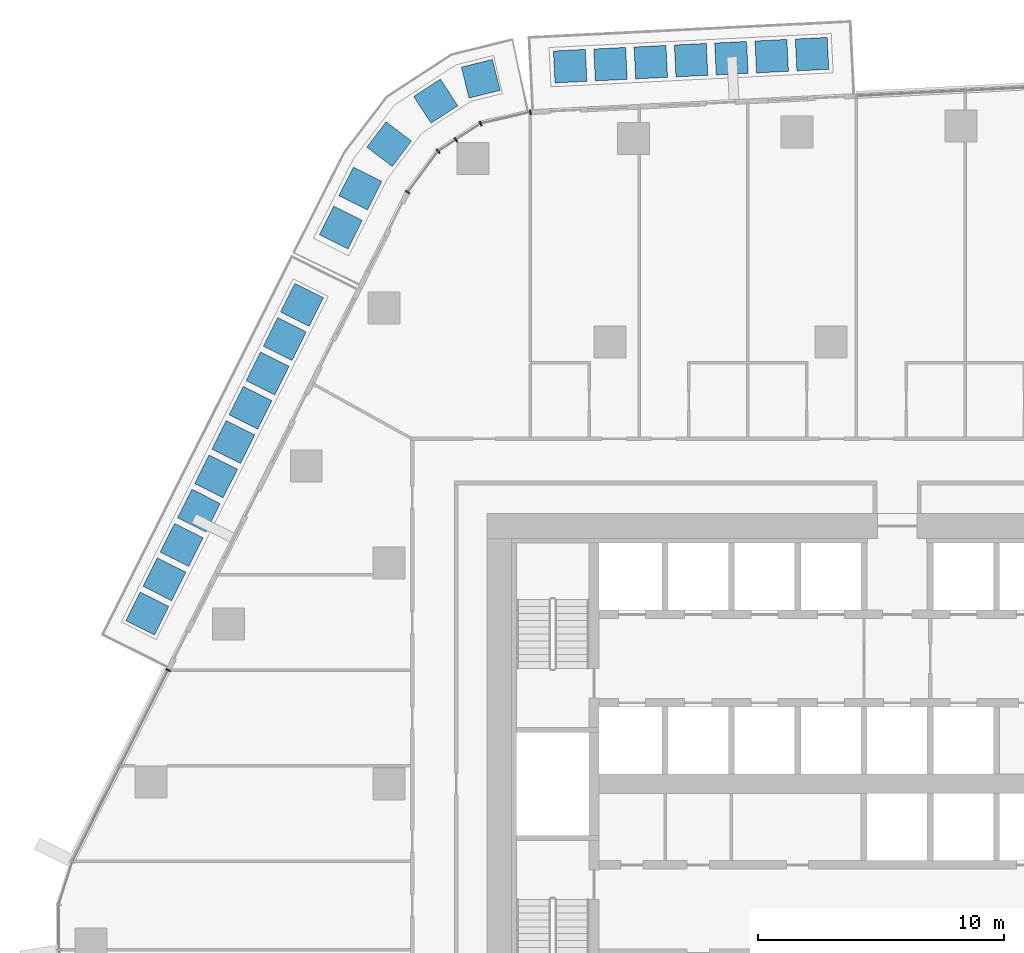
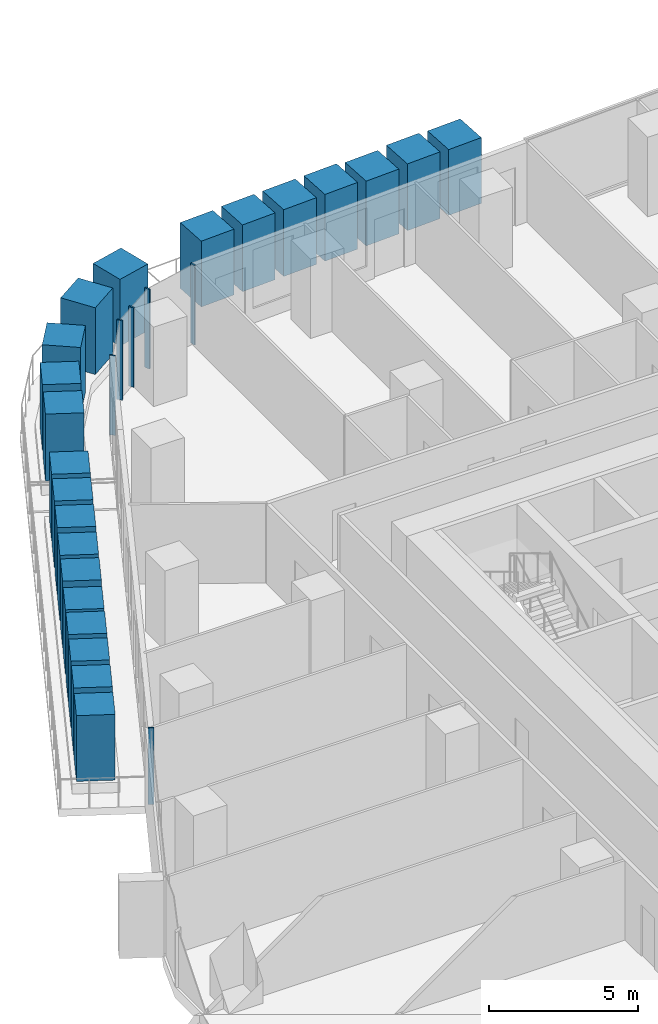
# One storey, part 6 of 24: 28 members, 3 elements without a shape of their own.
"""IFC4 building model written with IfcOpenShell, lengths in metres."""

from ifc_helpers import new_model, si_unit, direction, frame, origin, origin_2d, place, context, subcontext, project, spatial, rectangle, extrude, material, layer, layer_set, material_profile, profile_set, type_object, element, aggregate, save


model = new_model("IFC4")

# Units and contexts
model_context = context("Model", 3, precision=1e-05, world=origin(), true_north=direction((0.0, 1.0)))
body_context = subcontext(model_context, "Body", "Model", "MODEL_VIEW")
ifc_project = project(units=[si_unit("LENGTHUNIT", "METRE"), si_unit("AREAUNIT", "SQUARE_METRE"), si_unit("VOLUMEUNIT", "CUBIC_METRE"), si_unit("PLANEANGLEUNIT", "RADIAN"), si_unit("MASSUNIT", "GRAM", prefix="KILO")], contexts=[model_context])

# Site, building, storey
site_placement = place(None, origin())
site = spatial("IfcSite", under=ifc_project, at=site_placement, CompositionType="ELEMENT")
building_placement = place(site_placement, origin())
building = spatial("IfcBuilding", under=site, at=building_placement, Name="Dongbaek Canopy Tower", CompositionType="ELEMENT")
storey_placement = place(building_placement, frame((0.0, 0.0, 98.89990234375)))
storey = spatial("IfcBuildingStorey", under=building, at=storey_placement, Name="L20", CompositionType="ELEMENT", Elevation=98.89990234375)

# Curtain wall, members
ifc_material_1 = material(Name="Aluminium 6063-T6 pale anodised", Category="aluminium")
ifc_layer = layer(ifc_material_1, 0.199951171875)
ifc_layer_set = layer_set([ifc_layer], Name="CW-1 unitised tower curtain wall")
curtain_wall_type = type_object("IfcCurtainWallType", Name="CW-1 unitised tower curtain wall", PredefinedType="NOTDEFINED", material=ifc_layer_set)
curtain_wall_1_placement = place(storey_placement, origin())
curtain_wall_1 = element("IfcCurtainWall", 1, at=curtain_wall_1_placement, inside=storey, type_object=curtain_wall_type, Name="CW-1 curtain wall K2.1a", PredefinedType="NOTDEFINED")
ifc_material_2 = material(Name="Aluminium 6063-T6 pale anodised", Category="aluminium")
ifc_material_profile_1 = material_profile(ifc_material_2, rectangle(XDim=0.199951171875, YDim=0.06005859375, at=origin_2d()), Name="CW-1 mullion 60 x 200")
ifc_profile_set_1 = profile_set([ifc_material_profile_1], Name="Aluminium 6063-T6 pale anodised")
member_type_1 = type_object("IfcMemberType", Name="CW-1 mullion 60 x 200", PredefinedType="MULLION", material=ifc_profile_set_1)
member_1_placement = place(storey_placement, frame((-12.238037109375, 27.353759765625, 0.0), z_axis=(0.0, 0.0, 1.0), x_axis=(-0.223774189134, 0.974641017133, 0.0)))
member_1 = element("IfcMember", 2, at=member_1_placement, type_object=member_type_1, Name="CW-1 mullion K2.1a.1", PredefinedType="MULLION", context=body_context, shape_type="SweptSolid", body=[
    extrude(rectangle(XDim=0.199951171875, YDim=0.06005859375, at=origin_2d()), origin(), (0.0, 0.0, 1.0), 3.25),
])
member_2_placement = place(storey_placement, frame((-14.261474609375, 26.889404296875, 0.0), z_axis=(0.0, 0.0, 1.0), x_axis=(-0.39108657769, 0.920353893212, 0.0)))
member_2 = element("IfcMember", 3, at=member_2_placement, type_object=member_type_1, Name="CW-1 mullion K2.1a.2", PredefinedType="MULLION", context=body_context, shape_type="SweptSolid", body=[
    extrude(rectangle(XDim=0.199951171875, YDim=0.06005859375, at=origin_2d()), origin(), (0.0, 0.0, 1.0), 3.25),
])
member_3_placement = place(storey_placement, frame((-15.27099609375, 26.23095703125, 0.0), z_axis=(0.0, 0.0, 1.0), x_axis=(-0.546298541371, 0.837590534626, 0.0)))
member_3 = element("IfcMember", 4, at=member_3_placement, type_object=member_type_1, Name="CW-1 mullion K2.1a.3", PredefinedType="MULLION", context=body_context, shape_type="SweptSolid", body=[
    extrude(rectangle(XDim=0.199951171875, YDim=0.06005859375, at=origin_2d()), origin(), (0.0, 0.0, 1.0), 3.25),
])
aggregate(curtain_wall_1, [member_1, member_2, member_3])

curtain_wall_2_placement = place(storey_placement, origin())
curtain_wall_2 = element("IfcCurtainWall", 5, at=curtain_wall_2_placement, inside=storey, type_object=curtain_wall_type, Name="CW-1 curtain wall K2.1b", PredefinedType="NOTDEFINED")
member_4_placement = place(storey_placement, frame((-15.99267578125, 25.760009765625, 0.0), z_axis=(0.0, 0.0, 1.0), x_axis=(-0.684607740177, 0.728911683327, 0.0)))
member_4 = element("IfcMember", 6, at=member_4_placement, type_object=member_type_1, Name="CW-1 mullion K2.1b.2", PredefinedType="MULLION", context=body_context, shape_type="SweptSolid", body=[
    extrude(rectangle(XDim=0.199951171875, YDim=0.06005859375, at=origin_2d()), origin(), (0.0, 0.0, 1.0), 3.25),
])
member_5_placement = place(storey_placement, frame((-17.2333984375, 24.095703125, 0.0), z_axis=(0.0, 0.0, 1.0), x_axis=(-0.80173481458, 0.597679920267, 0.0)))
member_5 = element("IfcMember", 7, at=member_5_placement, type_object=member_type_1, Name="CW-1 mullion K2.1b.3", PredefinedType="MULLION", context=body_context, shape_type="SweptSolid", body=[
    extrude(rectangle(XDim=0.199951171875, YDim=0.06005859375, at=origin_2d()), origin(), (0.0, 0.0, 1.0), 3.25),
])
aggregate(curtain_wall_2, [member_4, member_5])

# Curtain wall, member
curtain_wall_3_placement = place(storey_placement, origin())
curtain_wall_3 = element("IfcCurtainWall", 8, at=curtain_wall_3_placement, inside=storey, type_object=curtain_wall_type, Name="CW-1 curtain wall F2.1", PredefinedType="NOTDEFINED")
member_6_placement = place(storey_placement, frame((-26.9873046875, 4.62841796875, 0.1201171875), z_axis=(0.0, 0.0, 1.0), x_axis=(-0.894055791151, 0.447955625381, 0.0)))
member_6 = element("IfcMember", 9, at=member_6_placement, type_object=member_type_1, Name="CW-1 mullion F2.1.1", PredefinedType="MULLION", context=body_context, shape_type="SweptSolid", body=[
    extrude(rectangle(XDim=0.199951171875, YDim=0.06005859375, at=origin_2d()), origin(), (0.0, 0.0, 1.0), 3.1298828125),
])
aggregate(curtain_wall_3, [member_6])

# Members
ifc_material_3 = material(Name="Concrete C40/50 planter mass with planting", Category="concrete")
ifc_material_profile_2 = material_profile(ifc_material_3, rectangle(XDim=1.300048828125, YDim=1.300048828125, at=origin_2d()), Name="Terrace PLANTER shrub mass 1300 x 1300")
ifc_profile_set_2 = profile_set([ifc_material_profile_2], Name="Concrete C40/50 planter mass with planting")
member_type_2 = type_object("IfcMemberType", Name="Terrace PLANTER shrub mass 1300 x 1300", PredefinedType="USERDEFINED", material=ifc_profile_set_2)
member_7_placement = place(storey_placement, frame((-0.76611328125, 29.715087890625, 0.420166015625), z_axis=(0.0, 0.0, 1.0), x_axis=(-0.049538109177, 0.998772234165, 0.0)))
element("IfcMember", 10, at=member_7_placement, inside=storey, type_object=member_type_2, Name="Planter shrubs L20 2.1", ObjectType="PLANTER", PredefinedType="USERDEFINED", context=body_context, shape_type="SweptSolid", body=[
    extrude(rectangle(XDim=1.300048828125, YDim=1.300048828125, at=origin_2d()), origin(), (0.0, 0.0, 1.0), 2.68994140625),
])
member_8_placement = place(storey_placement, frame((-2.40771484375, 29.633544921875, 0.420166015625), z_axis=(0.0, 0.0, 1.0), x_axis=(-0.049538109177, 0.998772234165, 0.0)))
element("IfcMember", 11, at=member_8_placement, inside=storey, type_object=member_type_2, Name="Planter shrubs L20 2.2", ObjectType="PLANTER", PredefinedType="USERDEFINED", context=body_context, shape_type="SweptSolid", body=[
    extrude(rectangle(XDim=1.300048828125, YDim=1.300048828125, at=origin_2d()), origin(), (0.0, 0.0, 1.0), 2.72998046875),
])
member_9_placement = place(storey_placement, frame((-4.04931640625, 29.55224609375, 0.420166015625), z_axis=(0.0, 0.0, 1.0), x_axis=(-0.049538109177, 0.998772234165, 0.0)))
element("IfcMember", 12, at=member_9_placement, inside=storey, type_object=member_type_2, Name="Planter shrubs L20 2.3", ObjectType="PLANTER", PredefinedType="USERDEFINED", context=body_context, shape_type="SweptSolid", body=[
    extrude(rectangle(XDim=1.300048828125, YDim=1.300048828125, at=origin_2d()), origin(), (0.0, 0.0, 1.0), 2.64990234375),
])
for number, where, z_axis, x_axis, name in (
    (13, (-5.69091796875, 29.470703125, 0.420166015625), (0.0, 0.0, 1.0), (-0.049538109177, 0.998772234165, 0.0), "Planter shrubs L20 2.4"),
    (14, (-7.33251953125, 29.389404296875, 0.420166015625), (0.0, 0.0, 1.0), (-0.049538109177, 0.998772234165, 0.0), "Planter shrubs L20 2.5"),
    (15, (-8.97412109375, 29.307861328125, 0.420166015625), (0.0, 0.0, 1.0), (-0.049538109177, 0.998772234165, 0.0), "Planter shrubs L20 2.6"),
):
    element("IfcMember", number, at=place(storey_placement, frame(where, z_axis=z_axis, x_axis=x_axis)), inside=storey, type_object=member_type_2, Name=name, ObjectType="PLANTER", PredefinedType="USERDEFINED", context=body_context, shape_type="SweptSolid", body=[
        extrude(rectangle(XDim=1.300048828125, YDim=1.300048828125, at=origin_2d()), origin(), (0.0, 0.0, 1.0), 2.72998046875),
    ])
member_10_placement = place(storey_placement, frame((-10.615966796875, 29.2265625, 0.420166015625), z_axis=(0.0, 0.0, 1.0), x_axis=(-0.049538109177, 0.998772234165, 0.0)))
element("IfcMember", 16, at=member_10_placement, inside=storey, type_object=member_type_2, Name="Planter shrubs L20 2.7", ObjectType="PLANTER", PredefinedType="USERDEFINED", context=body_context, shape_type="SweptSolid", body=[
    extrude(rectangle(XDim=1.300048828125, YDim=1.300048828125, at=origin_2d()), origin(), (0.0, 0.0, 1.0), 2.68994140625),
])
for number, where, z_axis, x_axis, name in (
    (17, (-21.53466796875, 19.507080078125, 0.420166015625), (0.0, 0.0, 1.0), (-0.894055791151, 0.447955625381, 0.0), "Planter shrubs L20 3.1"),
    (18, (-22.234619140625, 18.110107421875, 0.420166015625), (0.0, 0.0, 1.0), (-0.894055791151, 0.447955625381, 0.0), "Planter shrubs L20 3.2"),
    (19, (-22.9345703125, 16.712890625, 0.420166015625), (0.0, 0.0, 1.0), (-0.894055791151, 0.447955625381, 0.0), "Planter shrubs L20 3.3"),
):
    element("IfcMember", number, at=place(storey_placement, frame(where, z_axis=z_axis, x_axis=x_axis)), inside=storey, type_object=member_type_2, Name=name, ObjectType="PLANTER", PredefinedType="USERDEFINED", context=body_context, shape_type="SweptSolid", body=[
        extrude(rectangle(XDim=1.300048828125, YDim=1.300048828125, at=origin_2d()), origin(), (0.0, 0.0, 1.0), 2.72998046875),
    ])
member_11_placement = place(storey_placement, frame((-23.634521484375, 15.31591796875, 0.420166015625), z_axis=(0.0, 0.0, 1.0), x_axis=(-0.894055791151, 0.447955625381, 0.0)))
element("IfcMember", 20, at=member_11_placement, inside=storey, type_object=member_type_2, Name="Planter shrubs L20 3.4", ObjectType="PLANTER", PredefinedType="USERDEFINED", context=body_context, shape_type="SweptSolid", body=[
    extrude(rectangle(XDim=1.300048828125, YDim=1.300048828125, at=origin_2d()), origin(), (0.0, 0.0, 1.0), 2.68994140625),
])
member_12_placement = place(storey_placement, frame((-24.334716796875, 13.918701171875, 0.420166015625), z_axis=(0.0, 0.0, 1.0), x_axis=(-0.894055791151, 0.447955625381, 0.0)))
element("IfcMember", 21, at=member_12_placement, inside=storey, type_object=member_type_2, Name="Planter shrubs L20 3.5", ObjectType="PLANTER", PredefinedType="USERDEFINED", context=body_context, shape_type="SweptSolid", body=[
    extrude(rectangle(XDim=1.300048828125, YDim=1.300048828125, at=origin_2d()), origin(), (0.0, 0.0, 1.0), 2.72998046875),
])
member_13_placement = place(storey_placement, frame((-25.03466796875, 12.521728515625, 0.420166015625), z_axis=(0.0, 0.0, 1.0), x_axis=(-0.894055791151, 0.447955625381, 0.0)))
element("IfcMember", 22, at=member_13_placement, inside=storey, type_object=member_type_2, Name="Planter shrubs L20 3.6", ObjectType="PLANTER", PredefinedType="USERDEFINED", context=body_context, shape_type="SweptSolid", body=[
    extrude(rectangle(XDim=1.300048828125, YDim=1.300048828125, at=origin_2d()), origin(), (0.0, 0.0, 1.0), 2.64990234375),
])
for number, where, z_axis, x_axis, name in (
    (23, (-25.734619140625, 11.12451171875, 0.420166015625), (0.0, 0.0, 1.0), (-0.894055791151, 0.447955625381, 0.0), "Planter shrubs L20 3.7"),
    (24, (-26.4345703125, 9.7275390625, 0.420166015625), (0.0, 0.0, 1.0), (-0.894055791151, 0.447955625381, 0.0), "Planter shrubs L20 3.8"),
    (25, (-27.134521484375, 8.330322265625, 0.420166015625), (0.0, 0.0, 1.0), (-0.894055791151, 0.447955625381, 0.0), "Planter shrubs L20 3.9"),
):
    element("IfcMember", number, at=place(storey_placement, frame(where, z_axis=z_axis, x_axis=x_axis)), inside=storey, type_object=member_type_2, Name=name, ObjectType="PLANTER", PredefinedType="USERDEFINED", context=body_context, shape_type="SweptSolid", body=[
        extrude(rectangle(XDim=1.300048828125, YDim=1.300048828125, at=origin_2d()), origin(), (0.0, 0.0, 1.0), 2.72998046875),
    ])
member_14_placement = place(storey_placement, frame((-27.834716796875, 6.933349609375, 0.420166015625), z_axis=(0.0, 0.0, 1.0), x_axis=(-0.894055791151, 0.447955625381, 0.0)))
element("IfcMember", 26, at=member_14_placement, inside=storey, type_object=member_type_2, Name="Planter shrubs L20 3.10", ObjectType="PLANTER", PredefinedType="USERDEFINED", context=body_context, shape_type="SweptSolid", body=[
    extrude(rectangle(XDim=1.300048828125, YDim=1.300048828125, at=origin_2d()), origin(), (0.0, 0.0, 1.0), 2.68994140625),
])
for number, where, z_axis, x_axis, name in (
    (27, (-14.259033203125, 28.713134765625, 0.420166015625), (0.0, 0.0, 1.0), (-0.241323932248, 0.970444619607, 0.0), "Planter shrubs L20 7.1"),
    (28, (-16.090576171875, 27.802001953125, 0.420166015625), (0.0, 0.0, 1.0), (-0.546298541371, 0.837590534626, 0.0), "Planter shrubs L20 7.2"),
    (29, (-17.98828125, 26.05078125, 0.420166015625), (0.0, 0.0, 1.0), (-0.797113511965, 0.603829486729, 0.0), "Planter shrubs L20 7.3"),
):
    element("IfcMember", number, at=place(storey_placement, frame(where, z_axis=z_axis, x_axis=x_axis)), inside=storey, type_object=member_type_2, Name=name, ObjectType="PLANTER", PredefinedType="USERDEFINED", context=body_context, shape_type="SweptSolid", body=[
        extrude(rectangle(XDim=1.300048828125, YDim=1.300048828125, at=origin_2d()), origin(), (0.0, 0.0, 1.0), 2.72998046875),
    ])
member_15_placement = place(storey_placement, frame((-19.156982421875, 24.241455078125, 0.420166015625), z_axis=(0.0, 0.0, 1.0), x_axis=(-0.893229129784, 0.449601736769, 0.0)))
element("IfcMember", 30, at=member_15_placement, inside=storey, type_object=member_type_2, Name="Planter shrubs L20 7.4", ObjectType="PLANTER", PredefinedType="USERDEFINED", context=body_context, shape_type="SweptSolid", body=[
    extrude(rectangle(XDim=1.300048828125, YDim=1.300048828125, at=origin_2d()), origin(), (0.0, 0.0, 1.0), 2.68994140625),
])
member_16_placement = place(storey_placement, frame((-19.956298828125, 22.653564453125, 0.420166015625), z_axis=(0.0, 0.0, 1.0), x_axis=(-0.893229129784, 0.449601736769, 0.0)))
element("IfcMember", 31, at=member_16_placement, inside=storey, type_object=member_type_2, Name="Planter shrubs L20 7.5", ObjectType="PLANTER", PredefinedType="USERDEFINED", context=body_context, shape_type="SweptSolid", body=[
    extrude(rectangle(XDim=1.300048828125, YDim=1.300048828125, at=origin_2d()), origin(), (0.0, 0.0, 1.0), 2.72998046875),
])

save(model, "model.ifc")
